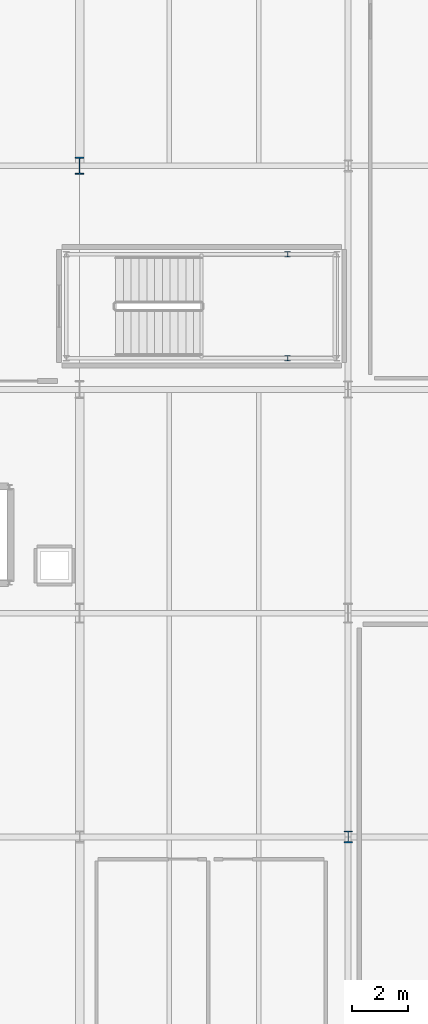
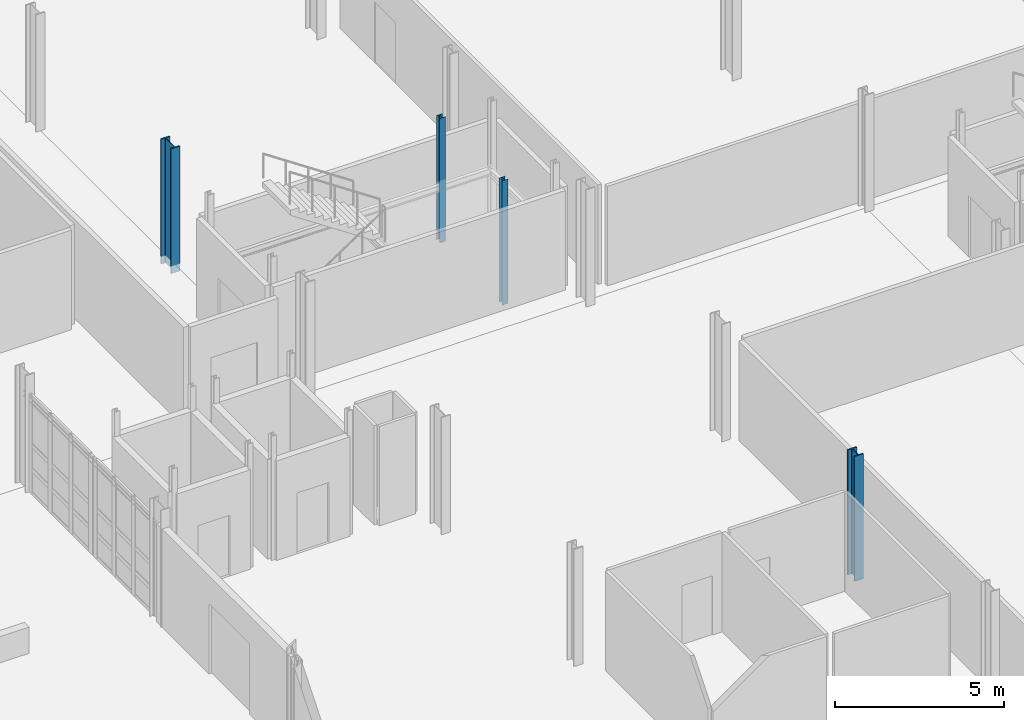
# One storey, part 11 of 78: 4 columns.
"""IFC4 building model written with IfcOpenShell, lengths in metres."""

import ifcopenshell
import ifcopenshell.guid

model = None  # the IFC model being written
_history = None  # IfcOwnerHistory: only IFC2X3 demands one
_inside = {}  # id of a spatial element -> (the spatial element, [elements in it])
_under = {}  # id of a project, library or spatial element -> (it, [spatial elements below it])
_declared = {}  # id of a project -> (the project, [libraries it declares])
_typed = {}  # id of a type object -> (the type object, [elements of that type])
_made_of = {}  # id of a material, layer set ... -> (it, [elements and type objects made of it])


def new_model(schema):
    """Start an empty IFC model of exactly this schema.

    Asked for "IFC4X3", IfcOpenShell would pick the latest addendum, in which some entities
    have other attributes; the version numbers below select the first issue.
    IFC2X3 requires an IfcOwnerHistory on every rooted entity: one is made here for all.
    """
    global model, _history
    if schema == "IFC4X3":
        model = ifcopenshell.file(schema_version=(4, 3, 0, 0))
    else:
        model = ifcopenshell.file(schema=schema)
    _inside.clear()
    _under.clear()
    _declared.clear()
    _typed.clear()
    _made_of.clear()
    _history = None
    if model.schema == "IFC2X3":
        org = make("IfcOrganization", Name="unknown")
        user = make(
            "IfcPersonAndOrganization",
            ThePerson=make("IfcPerson", FamilyName="unknown"),
            TheOrganization=org,
        )
        app = make(
            "IfcApplication",
            ApplicationDeveloper=org,
            Version="unknown",
            ApplicationFullName="unknown",
            ApplicationIdentifier="unknown",
        )
        _history = make(
            "IfcOwnerHistory",
            OwningUser=user,
            OwningApplication=app,
            ChangeAction="ADDED",
            CreationDate=0,
        )
    return model


def make(cls, **values):
    """One entity of the class cls with the attributes given. An attribute that is None is left unset."""
    return model.create_entity(
        cls, **{name: value for name, value in values.items() if value is not None}
    )


def rooted(cls, **values):
    """An entity with a GlobalId (a new one), such as an element, a storey or a relation."""
    return make(cls, GlobalId=ifcopenshell.guid.new(), OwnerHistory=_history, **values)


def si_unit(unit_type, name, prefix=None):
    """IfcSIUnit, for example si_unit("LENGTHUNIT", "METRE", prefix="MILLI")."""
    return make("IfcSIUnit", UnitType=unit_type, Prefix=prefix, Name=name)


def assignment(units):
    """IfcUnitAssignment: the units of a project."""
    return None if units is None else make("IfcUnitAssignment", Units=units)


def point(xyz):
    """IfcCartesianPoint."""
    return None if xyz is None else make("IfcCartesianPoint", Coordinates=xyz)


def direction(xyz):
    """IfcDirection."""
    return None if xyz is None else make("IfcDirection", DirectionRatios=xyz)


def frame(location, z_axis=None, x_axis=None):
    """IfcAxis2Placement3D, a coordinate frame: its origin and axes. An axis left out is left unset."""
    return make(
        "IfcAxis2Placement3D",
        Location=point(location),
        Axis=direction(z_axis),
        RefDirection=direction(x_axis),
    )


def frame_2d(location, x_axis=None):
    """IfcAxis2Placement2D, a coordinate frame in the plane: its origin and x axis."""
    return make(
        "IfcAxis2Placement2D", Location=point(location), RefDirection=direction(x_axis)
    )


def origin():
    """The frame at (0, 0, 0) with its axes left unset."""
    return frame((0.0, 0.0, 0.0))


def origin_2d():
    """The frame at (0, 0) in the plane with its x axis left unset."""
    return frame_2d((0.0, 0.0))


def place(relative_to, where):
    """IfcLocalPlacement: puts the frame where relative to a parent placement (None: the world)."""
    return make(
        "IfcLocalPlacement", PlacementRelTo=relative_to, RelativePlacement=where
    )


def context(
    kind, dimensions, precision=None, world=None, true_north=None, identifier=None
):
    """IfcGeometricRepresentationContext, for example the 3D "Model" context."""
    return make(
        "IfcGeometricRepresentationContext",
        ContextIdentifier=identifier,
        ContextType=kind,
        CoordinateSpaceDimension=dimensions,
        Precision=precision,
        WorldCoordinateSystem=world,
        TrueNorth=true_north,
    )


def subcontext(parent, identifier, kind, view, scale=None):
    """IfcGeometricRepresentationSubContext, for example "Body" below "Model"."""
    return make(
        "IfcGeometricRepresentationSubContext",
        ContextIdentifier=identifier,
        ContextType=kind,
        ParentContext=parent,
        TargetScale=scale,
        TargetView=view,
    )


def project(units=None, contexts=None):
    """IfcProject with its units and contexts."""
    return rooted(
        "IfcProject",
        Name="project",
        RepresentationContexts=contexts,
        UnitsInContext=assignment(units),
    )


def spatial(cls, under=None, at=None, **own):
    """A site, building, storey or space (cls), placed at a placement, below another one or the project."""
    s = rooted(cls, ObjectPlacement=at, **own)
    if under is not None:
        _under.setdefault(under.id(), (under, []))[1].append(s)
    return s


def profile(cls, at=None, kind="AREA", **sizes):
    """A parametric profile (cls). Its sizes go by their IFC names, for example OverallWidth=200.0."""
    return make(cls, ProfileType=kind, Position=at, **sizes)


def i_section(**sizes):
    """IfcIShapeProfileDef."""
    return profile("IfcIShapeProfileDef", **sizes)


def extrude(swept, where, along, depth):
    """IfcExtrudedAreaSolid: the profile swept, set in the frame where, extruded along a direction by depth."""
    return make(
        "IfcExtrudedAreaSolid",
        SweptArea=swept,
        Position=where,
        ExtrudedDirection=direction(along),
        Depth=depth,
    )


def shape(context_of_items, identifier, shape_type, items):
    """IfcShapeRepresentation: the items that make up one representation, for example the "Body"."""
    return make(
        "IfcShapeRepresentation",
        ContextOfItems=context_of_items,
        RepresentationIdentifier=identifier,
        RepresentationType=shape_type,
        Items=items,
    )


def material(Name=None, Category=None):
    """IfcMaterial."""
    return make("IfcMaterial", Name=Name, Category=Category)


def material_profile(
    of_material, cross_section, Name=None, Category=None, Priority=None
):
    """IfcMaterialProfile: a cross section and its material."""
    return make(
        "IfcMaterialProfile",
        Name=Name,
        Material=of_material,
        Profile=cross_section,
        Priority=Priority,
        Category=Category,
    )


def profile_set(profiles, Name=None, composite=None):
    """IfcMaterialProfileSet."""
    return make(
        "IfcMaterialProfileSet",
        Name=Name,
        MaterialProfiles=profiles,
        CompositeProfile=composite,
    )


def made_of(thing, what):
    """Note that an element or type object is made of a material, layer set ...; save() writes the relation."""
    if what is not None:
        _made_of.setdefault(what.id(), (what, []))[1].append(thing)
    return thing


def type_object(cls, material=None, **own):
    """A type object (cls), such as IfcWallType, which elements share."""
    return made_of(rooted(cls, **own), material)


def element(
    cls,
    number,
    at=None,
    inside=None,
    cuts=None,
    type_object=None,
    material=None,
    context=None,
    identifier="Body",
    shape_type=None,
    held_by="IfcProductDefinitionShape",
    body=None,
    shapes=None,
    **own,
):
    """One element of the class cls, such as IfcWall. Its Tag is "e" and its number.

    at: its placement. inside: the storey or other place that contains it. cuts: it is an
    opening in that element (IfcRelVoidsElement). A single representation is given by context,
    identifier, shape_type and body (its items); several are given by shapes. held_by: the class
    of the entity that holds the representations. save() writes the other relations.
    """
    e = rooted(cls, Tag="e%d" % number, ObjectPlacement=at, **own)
    if body is not None:
        shapes = [shape(context, identifier, shape_type, body)]
    if shapes is not None:
        e.Representation = make(held_by, Representations=shapes)
    if inside is not None:
        _inside.setdefault(inside.id(), (inside, []))[1].append(e)
    if cuts is not None:
        rooted(
            "IfcRelVoidsElement", RelatingBuildingElement=cuts, RelatedOpeningElement=e
        )
    if type_object is not None:
        _typed.setdefault(type_object.id(), (type_object, []))[1].append(e)
    return made_of(e, material)


def aggregate(whole, parts):
    """IfcRelAggregates: a whole, such as a stair, and the parts it consists of."""
    return rooted("IfcRelAggregates", RelatingObject=whole, RelatedObjects=parts)


def save(model, path):
    """Write the relations noted so far, then the file.

    IfcRelAggregates (storeys below a building ...), IfcRelContainedInSpatialStructure (elements
    in a storey), IfcRelDefinesByType, IfcRelAssociatesMaterial and IfcRelDeclares: one each for
    every whole, place, type object, material and project.
    """
    for whole, parts in _under.values():
        aggregate(whole, parts)
    for where, things in _inside.values():
        rooted(
            "IfcRelContainedInSpatialStructure",
            RelatedElements=things,
            RelatingStructure=where,
        )
    for kind, things in _typed.values():
        rooted("IfcRelDefinesByType", RelatedObjects=things, RelatingType=kind)
    for what, things in _made_of.values():
        rooted("IfcRelAssociatesMaterial", RelatedObjects=things, RelatingMaterial=what)
    for by, libraries in _declared.values():
        rooted("IfcRelDeclares", RelatingContext=by, RelatedDefinitions=libraries)
    model.write(path)


model = new_model("IFC4")

# Units and contexts
model_context = context("Model", 3, precision=1e-05, world=origin(), true_north=direction((0.0, 1.0)))
body_context = subcontext(model_context, "Body", "Model", "MODEL_VIEW")
ifc_project = project(units=[si_unit("LENGTHUNIT", "METRE"), si_unit("AREAUNIT", "SQUARE_METRE"), si_unit("VOLUMEUNIT", "CUBIC_METRE"), si_unit("PLANEANGLEUNIT", "RADIAN"), si_unit("MASSUNIT", "GRAM", prefix="KILO")], contexts=[model_context])

# Site, building, storey
site_placement = place(None, origin())
site = spatial("IfcSite", under=ifc_project, at=site_placement, CompositionType="ELEMENT")
building_placement = place(site_placement, origin())
building = spatial("IfcBuilding", under=site, at=building_placement, Name="Alderhovde Museum", CompositionType="ELEMENT")
storey_placement = place(building_placement, origin())
storey = spatial("IfcBuildingStorey", under=building, at=storey_placement, Name="L00", CompositionType="ELEMENT", Elevation=0.0)

# Columns
ifc_material_1 = material(Name="Steel S355J2", Category="steel")
ifc_material_profile_1 = material_profile(ifc_material_1, i_section(OverallWidth=0.199951171875, OverallDepth=0.18994140625, WebThickness=0.006591796875, FlangeThickness=0.010009765625, FilletRadius=0.01806640625, at=origin_2d()), Name="HEA 200")
ifc_profile_set_1 = profile_set([ifc_material_profile_1], Name="Steel S355J2")
column_type_1 = type_object("IfcColumnType", Name="COL-HEA200", PredefinedType="COLUMN", material=ifc_profile_set_1)
for number, where, z_axis, x_axis, name in (
    (1, (36.239990234375, 81.1201171875, 0.0), (0.0, 0.0, 1.0), (1.0, 0.0, 0.0), "L00 Stair ST2 Shaft Column 5"),
    (2, (36.239990234375, 84.840087890625, 0.0), (0.0, 0.0, 1.0), (1.0, 0.0, 0.0), "L00 Stair ST2 Shaft Column 6"),
):
    element("IfcColumn", number, at=place(storey_placement, frame(where, z_axis=z_axis, x_axis=x_axis)), inside=storey, type_object=column_type_1, Name=name, PredefinedType="COLUMN", context=body_context, shape_type="SweptSolid", body=[
        extrude(i_section(OverallWidth=0.199951171875, OverallDepth=0.18994140625, WebThickness=0.006591796875, FlangeThickness=0.010009765625, FilletRadius=0.01806640625, at=origin_2d()), origin(), (0.0, 0.0, 1.0), 4.5),
    ])
ifc_material_2 = material(Name="Steel S355J2", Category="steel")
ifc_material_profile_2 = material_profile(ifc_material_2, i_section(OverallWidth=0.306884765625, OverallDepth=0.431884765625, WebThickness=0.02099609375, FlangeThickness=0.0400390625, FilletRadius=0.027099609375, at=origin_2d()), Name="HEM 400")
ifc_profile_set_2 = profile_set([ifc_material_profile_2], Name="Steel S355J2")
column_type_2 = type_object("IfcColumnType", Name="COL-HEM400", PredefinedType="COLUMN", material=ifc_profile_set_2)
column_1_placement = place(storey_placement, frame((38.39990234375, 64.0, -0.280029296875), z_axis=(0.0, 0.0, 1.0), x_axis=(1.0, 0.0, 0.0)))
element("IfcColumn", 3, at=column_1_placement, inside=storey, type_object=column_type_2, Name="L00 Column (38.4, 64.0)", PredefinedType="COLUMN", context=body_context, shape_type="SweptSolid", body=[
    extrude(i_section(OverallWidth=0.306884765625, OverallDepth=0.431884765625, WebThickness=0.02099609375, FlangeThickness=0.0400390625, FilletRadius=0.027099609375, at=origin_2d()), origin(), (0.0, 0.0, 1.0), 4.52001953125),
])
ifc_material_3 = material(Name="Steel S355J2", Category="steel")
ifc_material_profile_3 = material_profile(ifc_material_3, i_section(OverallWidth=0.304931640625, OverallDepth=0.6201171875, WebThickness=0.02099609375, FlangeThickness=0.0400390625, FilletRadius=0.027099609375, at=origin_2d()), Name="HEM 600")
ifc_profile_set_3 = profile_set([ifc_material_profile_3], Name="Steel S355J2")
column_type_3 = type_object("IfcColumnType", Name="COL-HEM600", PredefinedType="COLUMN", material=ifc_profile_set_3)
column_2_placement = place(storey_placement, frame((28.800048828125, 88.0, -0.280029296875), z_axis=(0.0, 0.0, 1.0), x_axis=(1.0, 0.0, 0.0)))
element("IfcColumn", 4, at=column_2_placement, inside=storey, type_object=column_type_3, Name="L00 Column (28.8, 88.0)", PredefinedType="COLUMN", context=body_context, shape_type="SweptSolid", body=[
    extrude(i_section(OverallWidth=0.304931640625, OverallDepth=0.6201171875, WebThickness=0.02099609375, FlangeThickness=0.0400390625, FilletRadius=0.027099609375, at=origin_2d()), origin(), (0.0, 0.0, 1.0), 4.52001953125),
])

save(model, "model.ifc")
